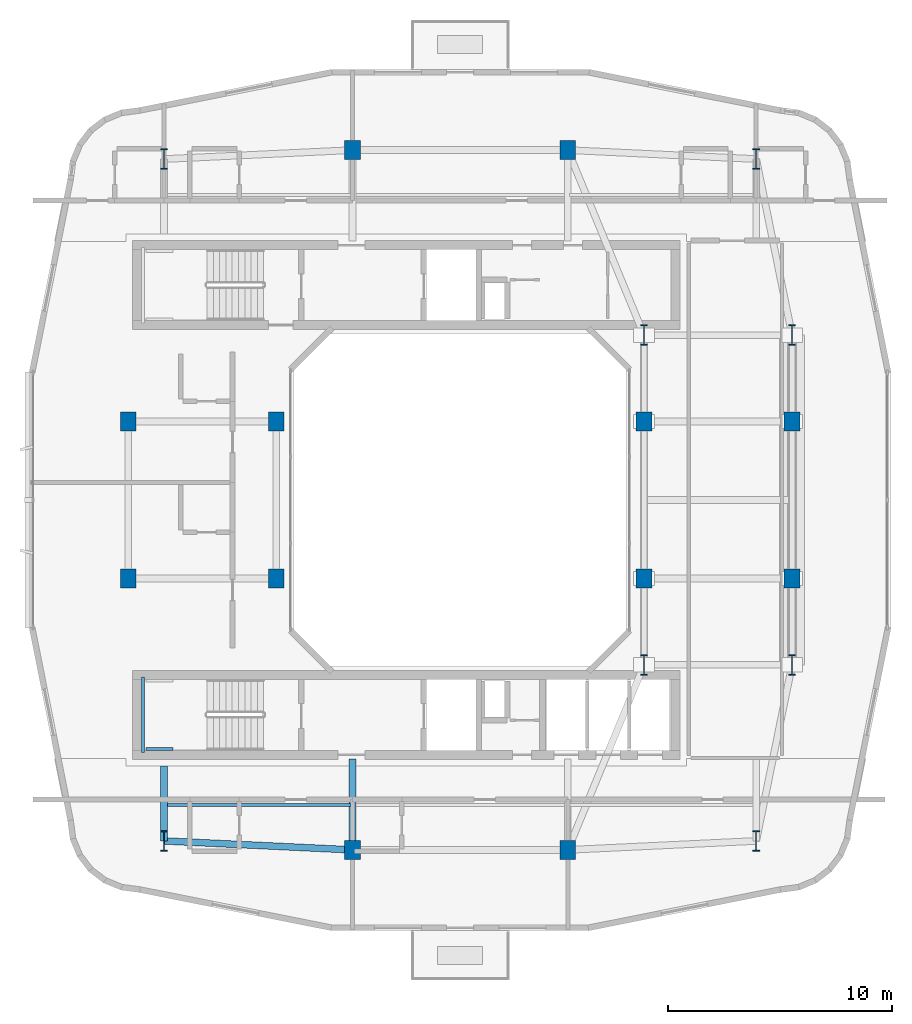
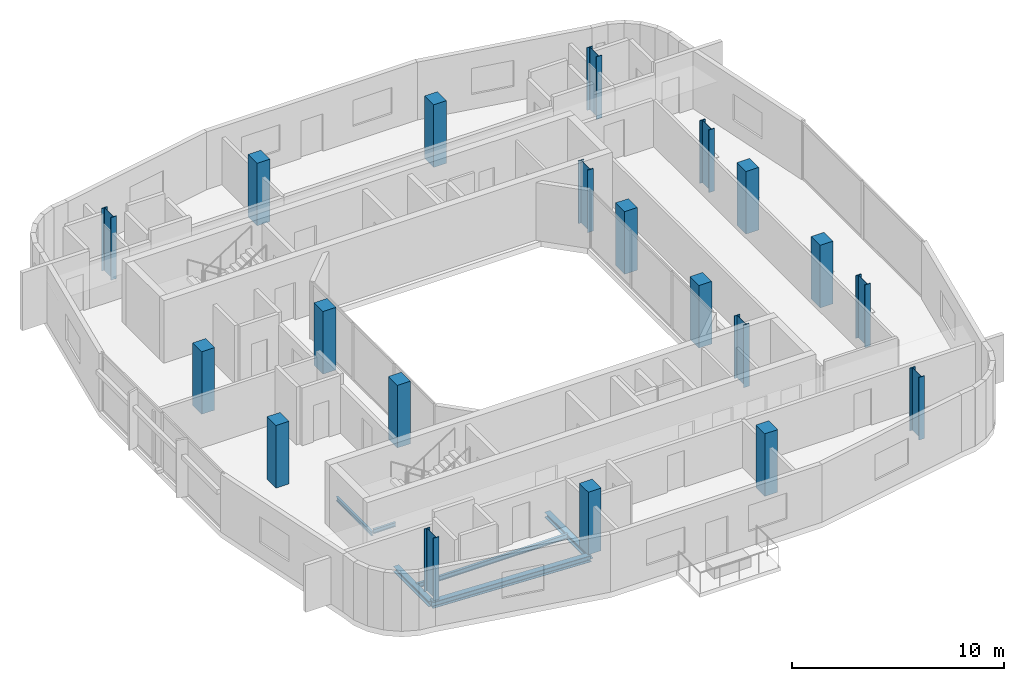
# One storey, part 1 of 13: 20 columns, 6 beams.
"""IFC4 building model written with IfcOpenShell, lengths in metres."""

from ifc_helpers import new_model, si_unit, derived_unit, direction, frame, origin, origin_2d, place, context, subcontext, project, spatial, rectangle, i_section, extrude, material, material_profile, profile_set, type_object, element, save


model = new_model("IFC4")

# Units and contexts
model_context = context("Model", 3, precision=1e-05, world=origin(), true_north=direction((0.0, 1.0)))
body_context = subcontext(model_context, "Body", "Model", "MODEL_VIEW")
ifc_project = project(units=[si_unit("LENGTHUNIT", "METRE"), si_unit("AREAUNIT", "SQUARE_METRE"), si_unit("VOLUMEUNIT", "CUBIC_METRE"), si_unit("PLANEANGLEUNIT", "RADIAN"), si_unit("MASSUNIT", "GRAM", prefix="KILO"), derived_unit("THERMALTRANSMITTANCEUNIT", [(si_unit("POWERUNIT", "WATT"), 1), (si_unit("LENGTHUNIT", "METRE"), -2), (si_unit("THERMODYNAMICTEMPERATUREUNIT", "KELVIN"), -1)])], contexts=[model_context])

# Site, building, storey
site_placement = place(None, origin())
site = spatial("IfcSite", under=ifc_project, at=site_placement, CompositionType="ELEMENT")
building_placement = place(site_placement, origin())
building = spatial("IfcBuilding", under=site, at=building_placement, Name="Kivonza Crest Hotel", CompositionType="ELEMENT")
storey_placement = place(building_placement, frame((0.0, 0.0, 199.10009765625)))
storey = spatial("IfcBuildingStorey", under=building, at=storey_placement, Name="L54", CompositionType="ELEMENT", Elevation=199.10009765625)

# Columns
ifc_material_1 = material(Name="Concrete C50/60", Category="concrete")
ifc_material_profile_1 = material_profile(ifc_material_1, rectangle(XDim=0.699951171875, YDim=0.85009765625, at=origin_2d()), Name="RC 850x700")
ifc_profile_set_1 = profile_set([ifc_material_profile_1], Name="Concrete C50/60")
column_type_1 = type_object("IfcColumnType", Name="CL-RC-850x700", PredefinedType="COLUMN", material=ifc_profile_set_1)
for number, where, z_axis, x_axis, name in (
    (1, (16.199951171875, 9.39990234375, 0.0), (0.0, 0.0, 1.0), (1.0, 0.0, 0.0), "Tower T1 L54 column S1"),
    (2, (25.800048828125, 9.39990234375, 0.0), (0.0, 0.0, 1.0), (1.0, 0.0, 0.0), "Tower T1 L54 column S2"),
    (3, (16.199951171875, 40.60009765625, 0.0), (0.0, 0.0, 1.0), (1.0, 0.0, 0.0), "Tower T1 L54 column N1"),
    (4, (25.800048828125, 40.60009765625, 0.0), (0.0, 0.0, 1.0), (1.0, 0.0, 0.0), "Tower T1 L54 column N2"),
    (5, (6.199951171875, 21.5, 0.0), (0.0, 0.0, 1.0), (1.0, 0.0, 0.0), "Tower T1 L54 column W1"),
    (6, (6.199951171875, 28.5, 0.0), (0.0, 0.0, 1.0), (1.0, 0.0, 0.0), "Tower T1 L54 column W2"),
    (7, (35.800048828125, 21.5, 0.0), (0.0, 0.0, 1.0), (1.0, 0.0, 0.0), "Tower T1 L54 column E1"),
    (8, (35.800048828125, 28.5, 0.0), (0.0, 0.0, 1.0), (1.0, 0.0, 0.0), "Tower T1 L54 column E2"),
    (9, (12.800048828125, 21.5, 0.0), (0.0, 0.0, 1.0), (1.0, 0.0, 0.0), "Tower T1 L54 column WL1"),
    (10, (12.800048828125, 28.5, 0.0), (0.0, 0.0, 1.0), (1.0, 0.0, 0.0), "Tower T1 L54 column WL2"),
    (11, (29.199951171875, 21.5, 0.0), (0.0, 0.0, 1.0), (1.0, 0.0, 0.0), "Tower T1 L54 column WR1"),
    (12, (29.199951171875, 28.5, 0.0), (0.0, 0.0, 1.0), (1.0, 0.0, 0.0), "Tower T1 L54 column WR2"),
):
    element("IfcColumn", number, at=place(storey_placement, frame(where, z_axis=z_axis, x_axis=x_axis)), inside=storey, type_object=column_type_1, Name=name, PredefinedType="COLUMN", context=body_context, shape_type="SweptSolid", body=[
        extrude(rectangle(XDim=0.699951171875, YDim=0.85009765625, at=origin_2d()), origin(), (0.0, 0.0, 1.0), 3.599853515625),
    ])
ifc_material_2 = material(Name="Steel S355", Category="steel")
ifc_material_profile_2 = material_profile(ifc_material_2, i_section(OverallWidth=0.302001953125, OverallDepth=0.909912109375, WebThickness=0.02099609375, FlangeThickness=0.0400390625, FilletRadius=0.030029296875, at=origin_2d()), Name="HEM 900")
ifc_profile_set_2 = profile_set([ifc_material_profile_2], Name="Steel S355")
column_type_2 = type_object("IfcColumnType", Name="CL-ST-HEM900", PredefinedType="COLUMN", material=ifc_profile_set_2)
for number, where, z_axis, x_axis, name in (
    (13, (7.800048828125, 9.800048828125, 0.0), (0.0, 0.0, 1.0), (1.0, 0.0, 0.0), "Tower T1 L54 column SW"),
    (14, (34.199951171875, 9.800048828125, 0.0), (0.0, 0.0, 1.0), (1.0, 0.0, 0.0), "Tower T1 L54 column SE"),
    (15, (34.199951171875, 40.199951171875, 0.0), (0.0, 0.0, 1.0), (1.0, 0.0, 0.0), "Tower T1 L54 column NE"),
    (16, (7.800048828125, 40.199951171875, 0.0), (0.0, 0.0, 1.0), (1.0, 0.0, 0.0), "Tower T1 L54 column NW"),
    (17, (35.800048828125, 17.64990234375, 0.0), (0.0, 0.0, 1.0), (1.0, 0.0, 0.0), "Tower T1 L54 column PSE"),
    (18, (35.800048828125, 32.35009765625, 0.0), (0.0, 0.0, 1.0), (1.0, 0.0, 0.0), "Tower T1 L54 column PNE"),
    (19, (29.199951171875, 17.64990234375, 0.0), (0.0, 0.0, 1.0), (1.0, 0.0, 0.0), "Tower T1 L54 column TSE"),
    (20, (29.199951171875, 32.35009765625, 0.0), (0.0, 0.0, 1.0), (1.0, 0.0, 0.0), "Tower T1 L54 column TNE"),
):
    element("IfcColumn", number, at=place(storey_placement, frame(where, z_axis=z_axis, x_axis=x_axis)), inside=storey, type_object=column_type_2, Name=name, PredefinedType="COLUMN", context=body_context, shape_type="SweptSolid", body=[
        extrude(i_section(OverallWidth=0.302001953125, OverallDepth=0.909912109375, WebThickness=0.02099609375, FlangeThickness=0.0400390625, FilletRadius=0.030029296875, at=origin_2d()), origin(), (0.0, 0.0, 1.0), 3.599853515625),
    ])

# Beams
ifc_material_profile_3 = material_profile(ifc_material_2, i_section(OverallWidth=0.300048828125, OverallDepth=0.300048828125, WebThickness=0.010986328125, FlangeThickness=0.01904296875, FilletRadius=0.027099609375, at=origin_2d()), Name="HEB 300")
ifc_profile_set_3 = profile_set([ifc_material_profile_3], Name="Steel S355")
beam_type_1 = type_object("IfcBeamType", Name="BM-HEB300", PredefinedType="BEAM", material=ifc_profile_set_3)
beam_1_placement = place(storey_placement, frame((7.800048828125, 9.800048828125, -0.47021484375), z_axis=(0.0, 1.0, 0.0), x_axis=(-1.0, 0.0, 0.0)))
element("IfcBeam", 21, at=beam_1_placement, inside=storey, type_object=beam_type_1, Name="Tower T1 L54 radial core girder RSW", PredefinedType="BEAM", context=body_context, shape_type="SweptSolid", body=[
    extrude(i_section(OverallWidth=0.300048828125, OverallDepth=0.300048828125, WebThickness=0.010986328125, FlangeThickness=0.01904296875, FilletRadius=0.027099609375, at=origin_2d()), origin(), (0.0, 0.0, 1.0), 3.349853515625),
])
beam_2_placement = place(storey_placement, frame((16.199951171875, 9.39990234375, -0.47021484375), z_axis=(0.0, 1.0, 0.0), x_axis=(-1.0, 0.0, 0.0)))
element("IfcBeam", 22, at=beam_2_placement, inside=storey, type_object=beam_type_1, Name="Tower T1 L54 radial core girder RS1", PredefinedType="BEAM", context=body_context, shape_type="SweptSolid", body=[
    extrude(i_section(OverallWidth=0.300048828125, OverallDepth=0.300048828125, WebThickness=0.010986328125, FlangeThickness=0.01904296875, FilletRadius=0.027099609375, at=origin_2d()), origin(), (0.0, 0.0, 1.0), 4.050048828125),
])
ifc_material_profile_4 = material_profile(ifc_material_2, i_section(OverallWidth=0.300048828125, OverallDepth=0.360107421875, WebThickness=0.012451171875, FlangeThickness=0.0224609375, FilletRadius=0.027099609375, at=origin_2d()), Name="HEB 360")
ifc_profile_set_4 = profile_set([ifc_material_profile_4], Name="Steel S355")
beam_type_2 = type_object("IfcBeamType", Name="BM-HEB360", PredefinedType="SPANDREL", material=ifc_profile_set_4)
beam_3_placement = place(storey_placement, frame((7.800048828125, 9.800048828125, -0.5), z_axis=(0.998867283688, -0.047583080799, 0.0), x_axis=(0.047583080799, 0.998867283688, 0.0)))
element("IfcBeam", 23, at=beam_3_placement, inside=storey, type_object=beam_type_2, Name="Tower T1 L54 perimeter spandrel SW-S1", PredefinedType="SPANDREL", context=body_context, shape_type="SweptSolid", body=[
    extrude(i_section(OverallWidth=0.300048828125, OverallDepth=0.360107421875, WebThickness=0.012451171875, FlangeThickness=0.0224609375, FilletRadius=0.027099609375, at=origin_2d()), origin(), (0.0, 0.0, 1.0), 8.409423828125),
])
ifc_material_profile_5 = material_profile(ifc_material_2, i_section(OverallWidth=0.135009765625, OverallDepth=0.27001953125, WebThickness=0.006591796875, FlangeThickness=0.01025390625, FilletRadius=0.014892578125, at=origin_2d()), Name="IPE 270")
ifc_profile_set_5 = profile_set([ifc_material_profile_5], Name="Steel S355")
beam_type_3 = type_object("IfcBeamType", Name="BM-IPE270", PredefinedType="JOIST", material=ifc_profile_set_5)
beam_4_placement = place(storey_placement, frame((7.8798828125, 11.39990234375, -0.455078125), z_axis=(1.0, 0.0, 0.0), x_axis=(0.0, 1.0, 0.0)))
element("IfcBeam", 24, at=beam_4_placement, inside=storey, type_object=beam_type_3, Name="Tower T1 L54 South-West floor joist", PredefinedType="JOIST", context=body_context, shape_type="SweptSolid", body=[
    extrude(i_section(OverallWidth=0.135009765625, OverallDepth=0.27001953125, WebThickness=0.006591796875, FlangeThickness=0.01025390625, FilletRadius=0.014892578125, at=origin_2d()), origin(), (0.0, 0.0, 1.0), 8.240234375),
])
ifc_material_profile_6 = material_profile(ifc_material_2, i_section(OverallWidth=0.1201171875, OverallDepth=0.239990234375, WebThickness=0.006103515625, FlangeThickness=0.009765625, FilletRadius=0.014892578125, at=origin_2d()), Name="IPE 240")
ifc_profile_set_6 = profile_set([ifc_material_profile_6], Name="Steel S355")
beam_type_4 = type_object("IfcBeamType", Name="BM-LLDG-240", PredefinedType="BEAM", material=ifc_profile_set_6)
beam_5_placement = place(storey_placement, frame((6.860107421875, 13.739990234375, 1.47998046875), z_axis=(0.0, 1.0, 0.0), x_axis=(-1.0, 0.0, 0.0)))
element("IfcBeam", 25, at=beam_5_placement, inside=storey, type_object=beam_type_4, Name="Stair ST-T1-S L54 West landing corbel", PredefinedType="BEAM", context=body_context, shape_type="SweptSolid", body=[
    extrude(i_section(OverallWidth=0.1201171875, OverallDepth=0.239990234375, WebThickness=0.006103515625, FlangeThickness=0.009765625, FilletRadius=0.014892578125, at=origin_2d()), origin(), (0.0, 0.0, 1.0), 3.360107421875),
])
beam_6_placement = place(storey_placement, frame((6.989990234375, 13.89990234375, 1.47998046875), z_axis=(1.0, 0.0, 0.0), x_axis=(0.0, 1.0, 0.0)))
element("IfcBeam", 26, at=beam_6_placement, inside=storey, type_object=beam_type_4, Name="Stair ST-T1-S L54 South landing corbel", PredefinedType="BEAM", context=body_context, shape_type="SweptSolid", body=[
    extrude(i_section(OverallWidth=0.1201171875, OverallDepth=0.239990234375, WebThickness=0.006103515625, FlangeThickness=0.009765625, FilletRadius=0.014892578125, at=origin_2d()), origin(), (0.0, 0.0, 1.0), 1.2099609375),
])

save(model, "model.ifc")
